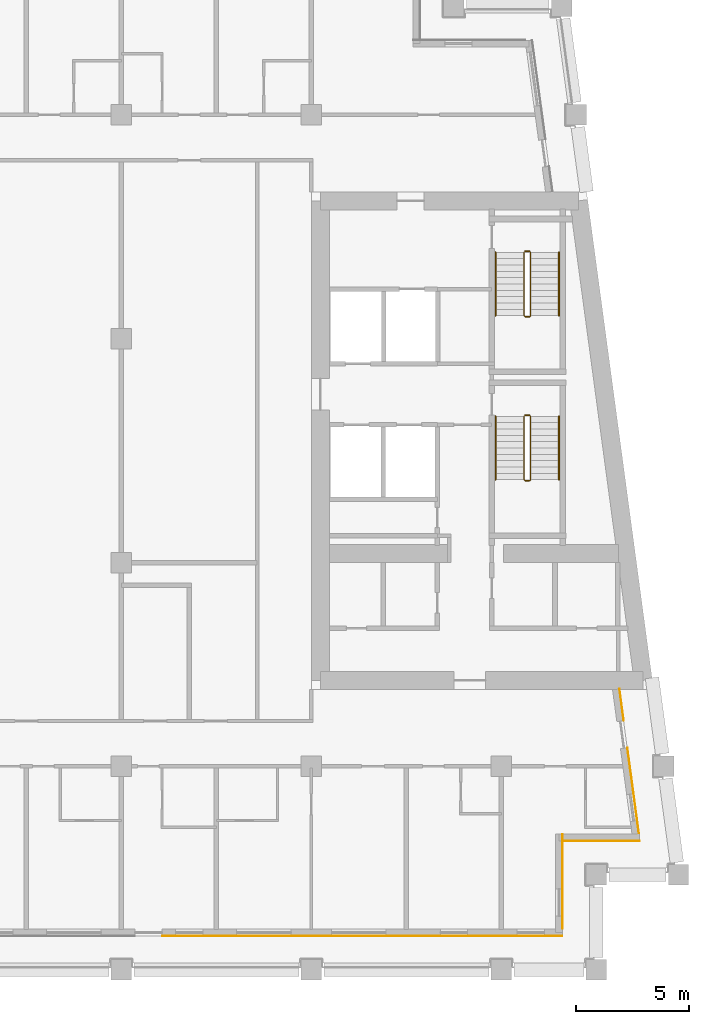
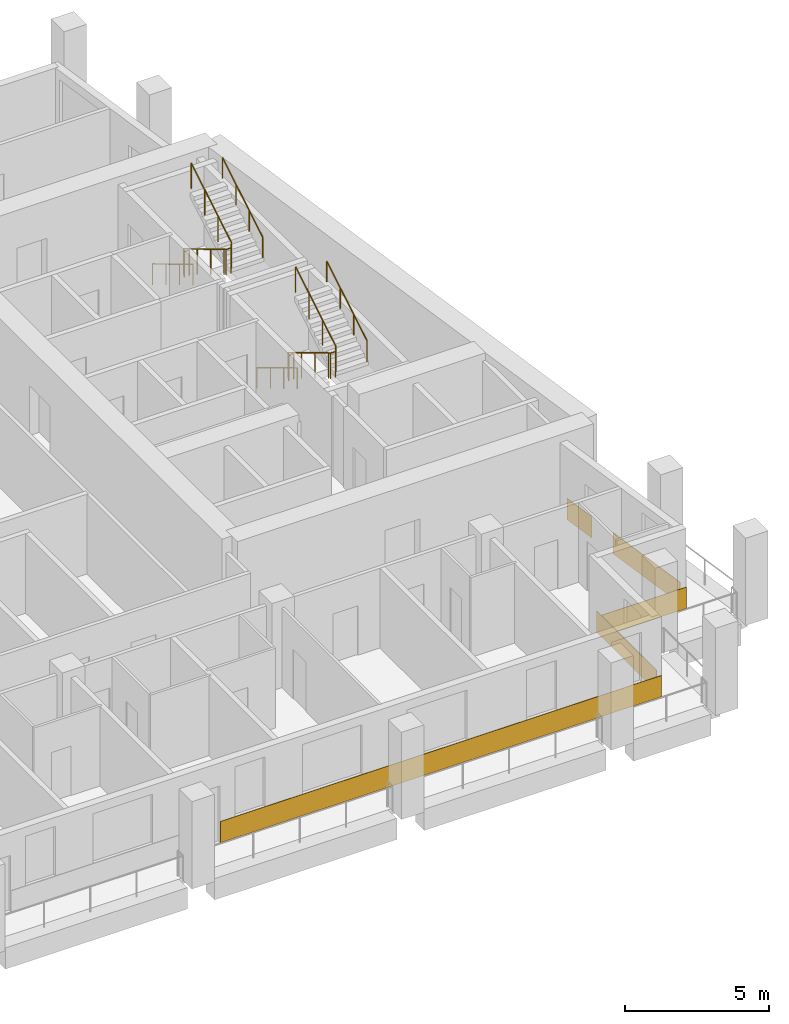
# One storey, part 11 of 13: 8 railings, 5 coverings.
"""IFC4 building model written with IfcOpenShell, lengths in metres."""

from ifc_helpers import new_model, si_unit, direction, frame, origin, origin_2d, place, context, subcontext, project, spatial, rectangle, circle, extrude, material, layer, layer_set, type_object, element, save


model = new_model("IFC4")

# Units and contexts
model_context = context("Model", 3, precision=1e-05, world=origin(), true_north=direction((0.0, 1.0)))
body_context = subcontext(model_context, "Body", "Model", "MODEL_VIEW")
ifc_project = project(units=[si_unit("LENGTHUNIT", "METRE"), si_unit("AREAUNIT", "SQUARE_METRE"), si_unit("VOLUMEUNIT", "CUBIC_METRE"), si_unit("PLANEANGLEUNIT", "RADIAN"), si_unit("MASSUNIT", "GRAM", prefix="KILO")], contexts=[model_context])

# Site, building, storey
site_placement = place(None, origin())
site = spatial("IfcSite", under=ifc_project, at=site_placement, CompositionType="ELEMENT")
building_placement = place(site_placement, origin())
building = spatial("IfcBuilding", under=site, at=building_placement, Name="Candeia Pilgrim Tower and Theatre", CompositionType="ELEMENT")
storey_placement = place(building_placement, frame((0.0, 0.0, 202.199951171875)))
storey = spatial("IfcBuildingStorey", under=building, at=storey_placement, Name="L48", CompositionType="ELEMENT", Elevation=202.199951171875)

# Coverings
ifc_material_1 = material(Name="Glazed ceramic tile bottle green")
ifc_layer_1 = layer(ifc_material_1, 0.02001953125)
ifc_layer_set_1 = layer_set([ifc_layer_1], Name="Glazed ceramic tile bottle green")
covering_type_1 = type_object("IfcCoveringType", Name="Glazed ceramic tile bottle green", PredefinedType="CLADDING", material=ifc_layer_set_1)
covering_1_placement = place(storey_placement, frame((128.25, 99.489990234375, 0.0), z_axis=(0.0, 0.0, 1.0), x_axis=(1.0, 0.0, 0.0)))
element("IfcCovering", 1, at=covering_1_placement, inside=storey, type_object=covering_type_1, Name="Tile cladding bottle green L48", PredefinedType="CLADDING", context=body_context, shape_type="SweptSolid", body=[
    extrude(rectangle(XDim=17.699951171875, YDim=0.02001953125, at=origin_2d()), origin(), (0.0, 0.0, 1.0), 0.89990234375),
])
covering_2_placement = place(storey_placement, frame((138.819580078125, 103.68994140625, 0.0), z_axis=(0.0, 0.0, 1.0), x_axis=(1.0, 0.0, 0.0)))
element("IfcCovering", 2, at=covering_2_placement, inside=storey, type_object=covering_type_1, Name="Tile cladding bottle green L48", PredefinedType="CLADDING", context=body_context, shape_type="SweptSolid", body=[
    extrude(rectangle(XDim=3.399169921875, YDim=0.02001953125, at=origin_2d()), origin(), (0.0, 0.0, 1.0), 0.89990234375),
])
ifc_material_2 = material(Name="Glazed ceramic tile rust")
ifc_layer_2 = layer(ifc_material_2, 0.02001953125)
ifc_layer_set_2 = layer_set([ifc_layer_2], Name="Glazed ceramic tile rust")
covering_type_2 = type_object("IfcCoveringType", Name="Glazed ceramic tile rust", PredefinedType="CLADDING", material=ifc_layer_set_2)
covering_3_placement = place(storey_placement, frame((137.110107421875, 101.909912109375, 0.0), z_axis=(0.0, 0.0, 1.0), x_axis=(0.0, 1.0, 0.0)))
element("IfcCovering", 3, at=covering_3_placement, inside=storey, type_object=covering_type_2, Name="Tile cladding rust L48", PredefinedType="CLADDING", context=body_context, shape_type="SweptSolid", body=[
    extrude(rectangle(XDim=4.179931640625, YDim=0.02001953125, at=origin_2d()), origin(), (0.0, 0.0, 1.0), 0.89990234375),
])
covering_4_placement = place(storey_placement, frame((140.228515625, 105.933349609375, 0.0), z_axis=(0.0, 0.0, 1.0), x_axis=(-0.133412012145, 0.991060661622, 0.0)))
element("IfcCovering", 4, at=covering_4_placement, inside=storey, type_object=covering_type_2, Name="Tile cladding rust L48", PredefinedType="CLADDING", context=body_context, shape_type="SweptSolid", body=[
    extrude(rectangle(XDim=3.821044921875, YDim=0.02001953125, at=origin_2d()), origin(), (0.0, 0.0, 1.0), 0.89990234375),
])
covering_5_placement = place(storey_placement, frame((139.718994140625, 109.71875, 0.0), z_axis=(0.0, 0.0, 1.0), x_axis=(-0.133412012145, 0.991060661622, 0.0)))
element("IfcCovering", 5, at=covering_5_placement, inside=storey, type_object=covering_type_2, Name="Tile cladding rust L48", PredefinedType="CLADDING", context=body_context, shape_type="SweptSolid", body=[
    extrude(rectangle(XDim=1.41796875, YDim=0.02001953125, at=origin_2d()), origin(), (0.0, 0.0, 1.0), 0.89990234375),
])

# Railings
ifc_material_3 = material(Name="Stainless steel balustrade", Category="steel")
railing_type_1 = type_object("IfcRailingType", Name="RL-GUARD-1100", PredefinedType="GUARDRAIL", material=ifc_material_3)
railing_1_placement = place(storey_placement, frame((135.39794921875, 122.47509765625, 0.168212890625)))
element("IfcRailing", 6, at=railing_1_placement, inside=storey, type_object=railing_type_1, Name="L48 ST3 stair guard 1", PredefinedType="GUARDRAIL", context=body_context, shape_type="SweptSolid", body=[
    extrude(circle(Radius=0.02392578125, at=origin_2d()), frame((0.0, 0.0, 1.076171875), z_axis=(0.0, -0.857242210791, 0.514913383045), x_axis=(1.0, 0.0, 0.0)), (0.0, 0.0, 1.0), 3.266357421875),
    extrude(circle(Radius=0.02392578125, at=origin_2d()), frame((0.0, -2.800048828125, 2.7578125), z_axis=(0.707106781187, -0.707106781187, 0.0), x_axis=(0.707106781187, 0.707106781187, 0.0)), (0.0, 0.0, 1.0), 0.07080078125),
    extrude(circle(Radius=0.02392578125, at=origin_2d()), frame((0.050048828125, -2.85009765625, 2.7578125), z_axis=(1.0, 0.0, 0.0), x_axis=(0.0, 1.0, 0.0)), (0.0, 0.0, 1.0), 0.199951171875),
    extrude(circle(Radius=0.02392578125, at=origin_2d()), frame((0.25, -2.85009765625, 2.7578125), z_axis=(0.274243871929, 0.274243871929, 0.92172696468), x_axis=(-0.707106781187, 0.707106781187, 0.0)), (0.0, 0.0, 1.0), 0.1826171875),
    extrude(circle(Radius=0.02392578125, at=origin_2d()), frame((0.300048828125, -2.800048828125, 2.92626953125), z_axis=(0.0, 0.857275202839, 0.514858452973), x_axis=(-1.0, 0.0, 0.0)), (0.0, 0.0, 1.0), 3.26611328125),
    extrude(circle(Radius=0.02099609375, at=origin_2d()), origin(), (0.0, 0.0, 1.0), 1.052001953125),
    extrude(circle(Radius=0.02099609375, at=origin_2d()), frame((0.0, -0.933349609375, 0.560546875)), (0.0, 0.0, 1.0), 1.052001953125),
    extrude(circle(Radius=0.02099609375, at=origin_2d()), frame((0.0, -1.86669921875, 1.121337890625)), (0.0, 0.0, 1.0), 1.052001953125),
    extrude(circle(Radius=0.02099609375, at=origin_2d()), frame((0.0, -2.800048828125, 1.681884765625)), (0.0, 0.0, 1.0), 1.052001953125),
    extrude(circle(Radius=0.02099609375, at=origin_2d()), frame((0.050048828125, -2.85009765625, 1.681884765625)), (0.0, 0.0, 1.0), 1.052001953125),
    extrude(circle(Radius=0.02099609375, at=origin_2d()), frame((0.25, -2.85009765625, 1.681884765625)), (0.0, 0.0, 1.0), 1.052001953125),
    extrude(circle(Radius=0.02099609375, at=origin_2d()), frame((0.300048828125, -2.800048828125, 1.85009765625)), (0.0, 0.0, 1.0), 1.052001953125),
    extrude(circle(Radius=0.02099609375, at=origin_2d()), frame((0.300048828125, -1.86669921875, 2.41064453125)), (0.0, 0.0, 1.0), 1.052001953125),
    extrude(circle(Radius=0.02099609375, at=origin_2d()), frame((0.300048828125, -0.933349609375, 2.97119140625)), (0.0, 0.0, 1.0), 1.052001953125),
    extrude(circle(Radius=0.02099609375, at=origin_2d()), frame((0.300048828125, 0.0, 3.53173828125)), (0.0, 0.0, 1.0), 1.052001953125),
])
railing_2_placement = place(storey_placement, frame((135.447998046875, 122.52490234375, 0.0)))
element("IfcRailing", 7, at=railing_2_placement, inside=storey, type_object=railing_type_1, Name="L48 ST3 stair guard 2", PredefinedType="GUARDRAIL", context=body_context, shape_type="SweptSolid", body=[
    extrude(circle(Radius=0.02392578125, at=origin_2d()), frame((0.0, 0.0, 1.076171875), z_axis=(1.0, 0.0, 0.0), x_axis=(0.0, 1.0, 0.0)), (0.0, 0.0, 1.0), 0.199951171875),
    extrude(circle(Radius=0.02099609375, at=origin_2d()), origin(), (0.0, 0.0, 1.0), 1.052001953125),
    extrude(circle(Radius=0.02099609375, at=origin_2d()), frame((0.199951171875, 0.0, 0.0)), (0.0, 0.0, 1.0), 1.052001953125),
])
railing_3_placement = place(storey_placement, frame((135.39794921875, 129.72509765625, 0.168212890625)))
element("IfcRailing", 8, at=railing_3_placement, inside=storey, type_object=railing_type_1, Name="L48 ST4 stair guard 1", PredefinedType="GUARDRAIL", context=body_context, shape_type="SweptSolid", body=[
    extrude(circle(Radius=0.02392578125, at=origin_2d()), frame((0.0, 0.0, 1.076171875), z_axis=(0.0, -0.857242210791, 0.514913383045), x_axis=(1.0, 0.0, 0.0)), (0.0, 0.0, 1.0), 3.266357421875),
    extrude(circle(Radius=0.02392578125, at=origin_2d()), frame((0.0, -2.800048828125, 2.7578125), z_axis=(0.707106781187, -0.707106781187, 0.0), x_axis=(0.707106781187, 0.707106781187, 0.0)), (0.0, 0.0, 1.0), 0.07080078125),
    extrude(circle(Radius=0.02392578125, at=origin_2d()), frame((0.050048828125, -2.85009765625, 2.7578125), z_axis=(1.0, 0.0, 0.0), x_axis=(0.0, 1.0, 0.0)), (0.0, 0.0, 1.0), 0.199951171875),
    extrude(circle(Radius=0.02392578125, at=origin_2d()), frame((0.25, -2.85009765625, 2.7578125), z_axis=(0.274243871929, 0.274243871929, 0.92172696468), x_axis=(-0.707106781187, 0.707106781187, 0.0)), (0.0, 0.0, 1.0), 0.1826171875),
    extrude(circle(Radius=0.02392578125, at=origin_2d()), frame((0.300048828125, -2.800048828125, 2.92626953125), z_axis=(0.0, 0.857275202839, 0.514858452973), x_axis=(-1.0, 0.0, 0.0)), (0.0, 0.0, 1.0), 3.26611328125),
    extrude(circle(Radius=0.02099609375, at=origin_2d()), origin(), (0.0, 0.0, 1.0), 1.052001953125),
    extrude(circle(Radius=0.02099609375, at=origin_2d()), frame((0.0, -0.933349609375, 0.560546875)), (0.0, 0.0, 1.0), 1.052001953125),
    extrude(circle(Radius=0.02099609375, at=origin_2d()), frame((0.0, -1.86669921875, 1.121337890625)), (0.0, 0.0, 1.0), 1.052001953125),
    extrude(circle(Radius=0.02099609375, at=origin_2d()), frame((0.0, -2.800048828125, 1.681884765625)), (0.0, 0.0, 1.0), 1.052001953125),
    extrude(circle(Radius=0.02099609375, at=origin_2d()), frame((0.050048828125, -2.85009765625, 1.681884765625)), (0.0, 0.0, 1.0), 1.052001953125),
    extrude(circle(Radius=0.02099609375, at=origin_2d()), frame((0.25, -2.85009765625, 1.681884765625)), (0.0, 0.0, 1.0), 1.052001953125),
    extrude(circle(Radius=0.02099609375, at=origin_2d()), frame((0.300048828125, -2.800048828125, 1.85009765625)), (0.0, 0.0, 1.0), 1.052001953125),
    extrude(circle(Radius=0.02099609375, at=origin_2d()), frame((0.300048828125, -1.86669921875, 2.41064453125)), (0.0, 0.0, 1.0), 1.052001953125),
    extrude(circle(Radius=0.02099609375, at=origin_2d()), frame((0.300048828125, -0.933349609375, 2.97119140625)), (0.0, 0.0, 1.0), 1.052001953125),
    extrude(circle(Radius=0.02099609375, at=origin_2d()), frame((0.300048828125, 0.0, 3.53173828125)), (0.0, 0.0, 1.0), 1.052001953125),
])
railing_4_placement = place(storey_placement, frame((135.447998046875, 129.77490234375, 0.0)))
element("IfcRailing", 9, at=railing_4_placement, inside=storey, type_object=railing_type_1, Name="L48 ST4 stair guard 2", PredefinedType="GUARDRAIL", context=body_context, shape_type="SweptSolid", body=[
    extrude(circle(Radius=0.02392578125, at=origin_2d()), frame((0.0, 0.0, 1.076171875), z_axis=(1.0, 0.0, 0.0), x_axis=(0.0, 1.0, 0.0)), (0.0, 0.0, 1.0), 0.199951171875),
    extrude(circle(Radius=0.02099609375, at=origin_2d()), origin(), (0.0, 0.0, 1.0), 1.052001953125),
    extrude(circle(Radius=0.02099609375, at=origin_2d()), frame((0.199951171875, 0.0, 0.0)), (0.0, 0.0, 1.0), 1.052001953125),
])
ifc_material_4 = material(Name="Stainless steel handrail", Category="steel")
railing_type_2 = type_object("IfcRailingType", Name="RL-HANDRAIL-900", PredefinedType="HANDRAIL", material=ifc_material_4)
railing_5_placement = place(storey_placement, frame((134.14794921875, 122.47509765625, 0.168212890625)))
element("IfcRailing", 10, at=railing_5_placement, inside=storey, type_object=railing_type_2, Name="L48 ST3 stair handrail 1", PredefinedType="HANDRAIL", context=body_context, shape_type="SweptSolid", body=[
    extrude(circle(Radius=0.02392578125, at=origin_2d()), frame((0.0, 0.0, 0.8759765625), z_axis=(0.0, -0.857242210791, 0.514913383045), x_axis=(1.0, 0.0, 0.0)), (0.0, 0.0, 1.0), 3.266357421875),
    extrude(circle(Radius=0.02099609375, at=origin_2d()), origin(), (0.0, 0.0, 1.0), 0.851806640625),
    extrude(circle(Radius=0.02099609375, at=origin_2d()), frame((0.0, -0.933349609375, 0.560546875)), (0.0, 0.0, 1.0), 0.851806640625),
    extrude(circle(Radius=0.02099609375, at=origin_2d()), frame((0.0, -1.86669921875, 1.121337890625)), (0.0, 0.0, 1.0), 0.851806640625),
    extrude(circle(Radius=0.02099609375, at=origin_2d()), frame((0.0, -2.800048828125, 1.681884765625)), (0.0, 0.0, 1.0), 0.851806640625),
])
railing_6_placement = place(storey_placement, frame((136.947998046875, 119.675048828125, 2.018310546875)))
element("IfcRailing", 11, at=railing_6_placement, inside=storey, type_object=railing_type_2, Name="L48 ST3 stair handrail 2", PredefinedType="HANDRAIL", context=body_context, shape_type="SweptSolid", body=[
    extrude(circle(Radius=0.02392578125, at=origin_2d()), frame((0.0, 0.0, 0.8759765625), z_axis=(0.0, 0.857275202839, 0.514858452973), x_axis=(-1.0, 0.0, 0.0)), (0.0, 0.0, 1.0), 3.26611328125),
    extrude(circle(Radius=0.02099609375, at=origin_2d()), origin(), (0.0, 0.0, 1.0), 0.851806640625),
    extrude(circle(Radius=0.02099609375, at=origin_2d()), frame((0.0, 0.933349609375, 0.560546875)), (0.0, 0.0, 1.0), 0.851806640625),
    extrude(circle(Radius=0.02099609375, at=origin_2d()), frame((0.0, 1.86669921875, 1.12109375)), (0.0, 0.0, 1.0), 0.851806640625),
    extrude(circle(Radius=0.02099609375, at=origin_2d()), frame((0.0, 2.800048828125, 1.681640625)), (0.0, 0.0, 1.0), 0.851806640625),
])
railing_7_placement = place(storey_placement, frame((134.14794921875, 129.72509765625, 0.168212890625)))
element("IfcRailing", 12, at=railing_7_placement, inside=storey, type_object=railing_type_2, Name="L48 ST4 stair handrail 1", PredefinedType="HANDRAIL", context=body_context, shape_type="SweptSolid", body=[
    extrude(circle(Radius=0.02392578125, at=origin_2d()), frame((0.0, 0.0, 0.8759765625), z_axis=(0.0, -0.857242210791, 0.514913383045), x_axis=(1.0, 0.0, 0.0)), (0.0, 0.0, 1.0), 3.266357421875),
    extrude(circle(Radius=0.02099609375, at=origin_2d()), origin(), (0.0, 0.0, 1.0), 0.851806640625),
    extrude(circle(Radius=0.02099609375, at=origin_2d()), frame((0.0, -0.933349609375, 0.560546875)), (0.0, 0.0, 1.0), 0.851806640625),
    extrude(circle(Radius=0.02099609375, at=origin_2d()), frame((0.0, -1.86669921875, 1.121337890625)), (0.0, 0.0, 1.0), 0.851806640625),
    extrude(circle(Radius=0.02099609375, at=origin_2d()), frame((0.0, -2.800048828125, 1.681884765625)), (0.0, 0.0, 1.0), 0.851806640625),
])
railing_8_placement = place(storey_placement, frame((136.947998046875, 126.925048828125, 2.018310546875)))
element("IfcRailing", 13, at=railing_8_placement, inside=storey, type_object=railing_type_2, Name="L48 ST4 stair handrail 2", PredefinedType="HANDRAIL", context=body_context, shape_type="SweptSolid", body=[
    extrude(circle(Radius=0.02392578125, at=origin_2d()), frame((0.0, 0.0, 0.8759765625), z_axis=(0.0, 0.857275202839, 0.514858452973), x_axis=(-1.0, 0.0, 0.0)), (0.0, 0.0, 1.0), 3.26611328125),
    extrude(circle(Radius=0.02099609375, at=origin_2d()), origin(), (0.0, 0.0, 1.0), 0.851806640625),
    extrude(circle(Radius=0.02099609375, at=origin_2d()), frame((0.0, 0.933349609375, 0.560546875)), (0.0, 0.0, 1.0), 0.851806640625),
    extrude(circle(Radius=0.02099609375, at=origin_2d()), frame((0.0, 1.86669921875, 1.12109375)), (0.0, 0.0, 1.0), 0.851806640625),
    extrude(circle(Radius=0.02099609375, at=origin_2d()), frame((0.0, 2.800048828125, 1.681640625)), (0.0, 0.0, 1.0), 0.851806640625),
])

save(model, "model.ifc")
